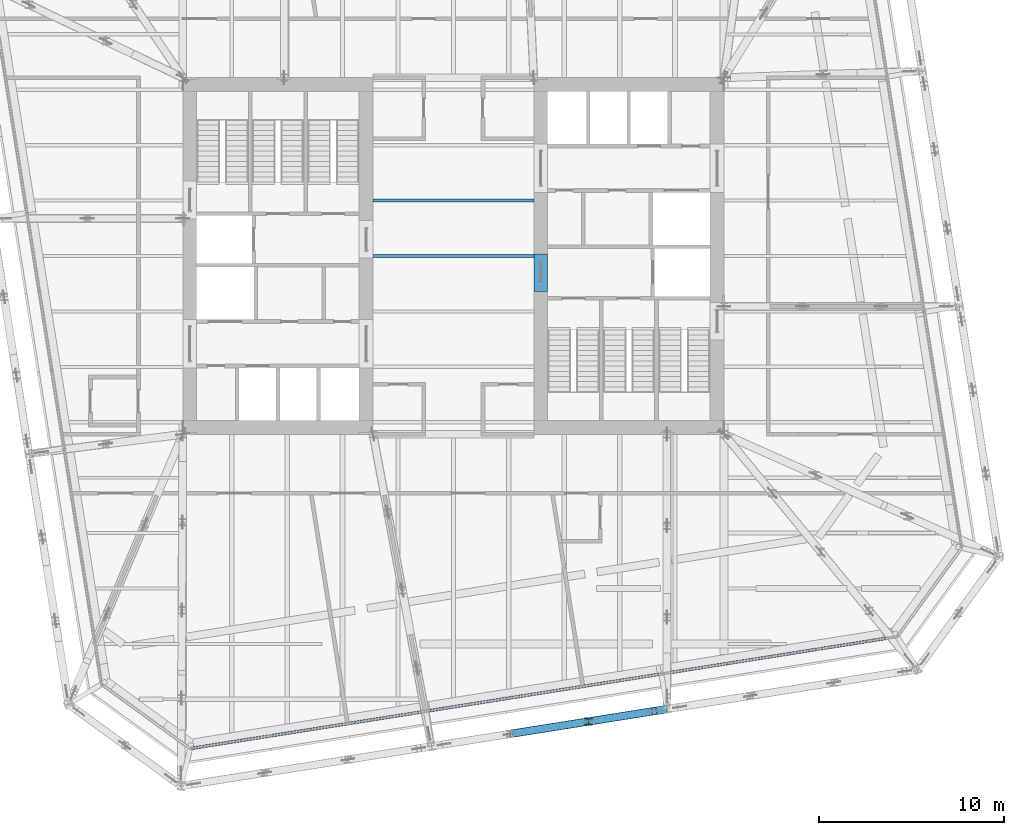
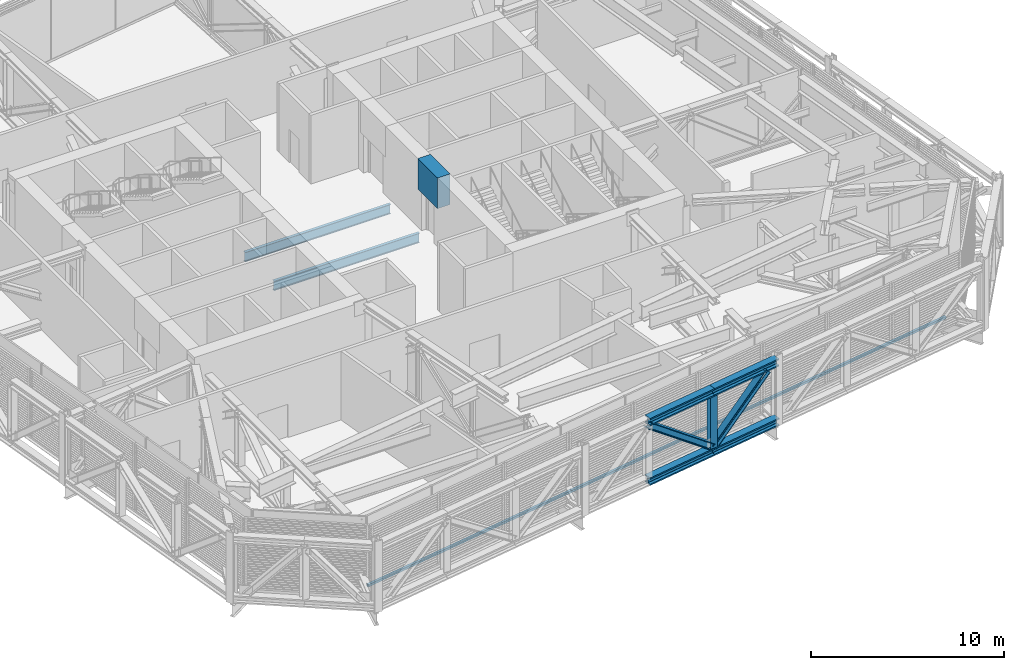
# One storey, part 7 of 31: 7 beams, 4 members, 1 element without a shape of its own.
"""IFC4 building model written with IfcOpenShell, lengths in metres."""

import ifcopenshell
import ifcopenshell.guid

model = None  # the IFC model being written
_history = None  # IfcOwnerHistory: only IFC2X3 demands one
_inside = {}  # id of a spatial element -> (the spatial element, [elements in it])
_under = {}  # id of a project, library or spatial element -> (it, [spatial elements below it])
_declared = {}  # id of a project -> (the project, [libraries it declares])
_typed = {}  # id of a type object -> (the type object, [elements of that type])
_made_of = {}  # id of a material, layer set ... -> (it, [elements and type objects made of it])


def new_model(schema):
    """Start an empty IFC model of exactly this schema.

    Asked for "IFC4X3", IfcOpenShell would pick the latest addendum, in which some entities
    have other attributes; the version numbers below select the first issue.
    IFC2X3 requires an IfcOwnerHistory on every rooted entity: one is made here for all.
    """
    global model, _history
    if schema == "IFC4X3":
        model = ifcopenshell.file(schema_version=(4, 3, 0, 0))
    else:
        model = ifcopenshell.file(schema=schema)
    _inside.clear()
    _under.clear()
    _declared.clear()
    _typed.clear()
    _made_of.clear()
    _history = None
    if model.schema == "IFC2X3":
        org = make("IfcOrganization", Name="unknown")
        user = make(
            "IfcPersonAndOrganization",
            ThePerson=make("IfcPerson", FamilyName="unknown"),
            TheOrganization=org,
        )
        app = make(
            "IfcApplication",
            ApplicationDeveloper=org,
            Version="unknown",
            ApplicationFullName="unknown",
            ApplicationIdentifier="unknown",
        )
        _history = make(
            "IfcOwnerHistory",
            OwningUser=user,
            OwningApplication=app,
            ChangeAction="ADDED",
            CreationDate=0,
        )
    return model


def make(cls, **values):
    """One entity of the class cls with the attributes given. An attribute that is None is left unset."""
    return model.create_entity(
        cls, **{name: value for name, value in values.items() if value is not None}
    )


def rooted(cls, **values):
    """An entity with a GlobalId (a new one), such as an element, a storey or a relation."""
    return make(cls, GlobalId=ifcopenshell.guid.new(), OwnerHistory=_history, **values)


def si_unit(unit_type, name, prefix=None):
    """IfcSIUnit, for example si_unit("LENGTHUNIT", "METRE", prefix="MILLI")."""
    return make("IfcSIUnit", UnitType=unit_type, Prefix=prefix, Name=name)


def assignment(units):
    """IfcUnitAssignment: the units of a project."""
    return None if units is None else make("IfcUnitAssignment", Units=units)


def point(xyz):
    """IfcCartesianPoint."""
    return None if xyz is None else make("IfcCartesianPoint", Coordinates=xyz)


def direction(xyz):
    """IfcDirection."""
    return None if xyz is None else make("IfcDirection", DirectionRatios=xyz)


def frame(location, z_axis=None, x_axis=None):
    """IfcAxis2Placement3D, a coordinate frame: its origin and axes. An axis left out is left unset."""
    return make(
        "IfcAxis2Placement3D",
        Location=point(location),
        Axis=direction(z_axis),
        RefDirection=direction(x_axis),
    )


def frame_2d(location, x_axis=None):
    """IfcAxis2Placement2D, a coordinate frame in the plane: its origin and x axis."""
    return make(
        "IfcAxis2Placement2D", Location=point(location), RefDirection=direction(x_axis)
    )


def origin():
    """The frame at (0, 0, 0) with its axes left unset."""
    return frame((0.0, 0.0, 0.0))


def origin_2d():
    """The frame at (0, 0) in the plane with its x axis left unset."""
    return frame_2d((0.0, 0.0))


def place(relative_to, where):
    """IfcLocalPlacement: puts the frame where relative to a parent placement (None: the world)."""
    return make(
        "IfcLocalPlacement", PlacementRelTo=relative_to, RelativePlacement=where
    )


def context(
    kind, dimensions, precision=None, world=None, true_north=None, identifier=None
):
    """IfcGeometricRepresentationContext, for example the 3D "Model" context."""
    return make(
        "IfcGeometricRepresentationContext",
        ContextIdentifier=identifier,
        ContextType=kind,
        CoordinateSpaceDimension=dimensions,
        Precision=precision,
        WorldCoordinateSystem=world,
        TrueNorth=true_north,
    )


def subcontext(parent, identifier, kind, view, scale=None):
    """IfcGeometricRepresentationSubContext, for example "Body" below "Model"."""
    return make(
        "IfcGeometricRepresentationSubContext",
        ContextIdentifier=identifier,
        ContextType=kind,
        ParentContext=parent,
        TargetScale=scale,
        TargetView=view,
    )


def project(units=None, contexts=None):
    """IfcProject with its units and contexts."""
    return rooted(
        "IfcProject",
        Name="project",
        RepresentationContexts=contexts,
        UnitsInContext=assignment(units),
    )


def spatial(cls, under=None, at=None, **own):
    """A site, building, storey or space (cls), placed at a placement, below another one or the project."""
    s = rooted(cls, ObjectPlacement=at, **own)
    if under is not None:
        _under.setdefault(under.id(), (under, []))[1].append(s)
    return s


def profile(cls, at=None, kind="AREA", **sizes):
    """A parametric profile (cls). Its sizes go by their IFC names, for example OverallWidth=200.0."""
    return make(cls, ProfileType=kind, Position=at, **sizes)


def rectangle(**sizes):
    """IfcRectangleProfileDef."""
    return profile("IfcRectangleProfileDef", **sizes)


def i_section(**sizes):
    """IfcIShapeProfileDef."""
    return profile("IfcIShapeProfileDef", **sizes)


def extrude(swept, where, along, depth):
    """IfcExtrudedAreaSolid: the profile swept, set in the frame where, extruded along a direction by depth."""
    return make(
        "IfcExtrudedAreaSolid",
        SweptArea=swept,
        Position=where,
        ExtrudedDirection=direction(along),
        Depth=depth,
    )


def shape(context_of_items, identifier, shape_type, items):
    """IfcShapeRepresentation: the items that make up one representation, for example the "Body"."""
    return make(
        "IfcShapeRepresentation",
        ContextOfItems=context_of_items,
        RepresentationIdentifier=identifier,
        RepresentationType=shape_type,
        Items=items,
    )


def material(Name=None, Category=None):
    """IfcMaterial."""
    return make("IfcMaterial", Name=Name, Category=Category)


def layer(
    of_material, thickness, ventilated=None, Name=None, Category=None, Priority=None
):
    """IfcMaterialLayer: one layer of a wall or slab, of a material (None: an air gap)."""
    return make(
        "IfcMaterialLayer",
        Material=of_material,
        LayerThickness=thickness,
        IsVentilated=ventilated,
        Name=Name,
        Category=Category,
        Priority=Priority,
    )


def layer_set(layers, Name=None):
    """IfcMaterialLayerSet."""
    return make("IfcMaterialLayerSet", MaterialLayers=layers, LayerSetName=Name)


def material_profile(
    of_material, cross_section, Name=None, Category=None, Priority=None
):
    """IfcMaterialProfile: a cross section and its material."""
    return make(
        "IfcMaterialProfile",
        Name=Name,
        Material=of_material,
        Profile=cross_section,
        Priority=Priority,
        Category=Category,
    )


def profile_set(profiles, Name=None, composite=None):
    """IfcMaterialProfileSet."""
    return make(
        "IfcMaterialProfileSet",
        Name=Name,
        MaterialProfiles=profiles,
        CompositeProfile=composite,
    )


def made_of(thing, what):
    """Note that an element or type object is made of a material, layer set ...; save() writes the relation."""
    if what is not None:
        _made_of.setdefault(what.id(), (what, []))[1].append(thing)
    return thing


def type_object(cls, material=None, **own):
    """A type object (cls), such as IfcWallType, which elements share."""
    return made_of(rooted(cls, **own), material)


def element(
    cls,
    number,
    at=None,
    inside=None,
    cuts=None,
    type_object=None,
    material=None,
    context=None,
    identifier="Body",
    shape_type=None,
    held_by="IfcProductDefinitionShape",
    body=None,
    shapes=None,
    **own,
):
    """One element of the class cls, such as IfcWall. Its Tag is "e" and its number.

    at: its placement. inside: the storey or other place that contains it. cuts: it is an
    opening in that element (IfcRelVoidsElement). A single representation is given by context,
    identifier, shape_type and body (its items); several are given by shapes. held_by: the class
    of the entity that holds the representations. save() writes the other relations.
    """
    e = rooted(cls, Tag="e%d" % number, ObjectPlacement=at, **own)
    if body is not None:
        shapes = [shape(context, identifier, shape_type, body)]
    if shapes is not None:
        e.Representation = make(held_by, Representations=shapes)
    if inside is not None:
        _inside.setdefault(inside.id(), (inside, []))[1].append(e)
    if cuts is not None:
        rooted(
            "IfcRelVoidsElement", RelatingBuildingElement=cuts, RelatedOpeningElement=e
        )
    if type_object is not None:
        _typed.setdefault(type_object.id(), (type_object, []))[1].append(e)
    return made_of(e, material)


def aggregate(whole, parts):
    """IfcRelAggregates: a whole, such as a stair, and the parts it consists of."""
    return rooted("IfcRelAggregates", RelatingObject=whole, RelatedObjects=parts)


def save(model, path):
    """Write the relations noted so far, then the file.

    IfcRelAggregates (storeys below a building ...), IfcRelContainedInSpatialStructure (elements
    in a storey), IfcRelDefinesByType, IfcRelAssociatesMaterial and IfcRelDeclares: one each for
    every whole, place, type object, material and project.
    """
    for whole, parts in _under.values():
        aggregate(whole, parts)
    for where, things in _inside.values():
        rooted(
            "IfcRelContainedInSpatialStructure",
            RelatedElements=things,
            RelatingStructure=where,
        )
    for kind, things in _typed.values():
        rooted("IfcRelDefinesByType", RelatedObjects=things, RelatingType=kind)
    for what, things in _made_of.values():
        rooted("IfcRelAssociatesMaterial", RelatedObjects=things, RelatingMaterial=what)
    for by, libraries in _declared.values():
        rooted("IfcRelDeclares", RelatingContext=by, RelatedDefinitions=libraries)
    model.write(path)


model = new_model("IFC4")

# Units and contexts
model_context = context("Model", 3, precision=1e-05, world=origin(), true_north=direction((0.0, 1.0)))
body_context = subcontext(model_context, "Body", "Model", "MODEL_VIEW")
ifc_project = project(units=[si_unit("LENGTHUNIT", "METRE"), si_unit("AREAUNIT", "SQUARE_METRE"), si_unit("VOLUMEUNIT", "CUBIC_METRE"), si_unit("PLANEANGLEUNIT", "RADIAN"), si_unit("MASSUNIT", "GRAM", prefix="KILO")], contexts=[model_context])

# Site, building, storey
site_placement = place(None, origin())
site = spatial("IfcSite", under=ifc_project, at=site_placement, CompositionType="ELEMENT")
building_placement = place(site_placement, origin())
building = spatial("IfcBuilding", under=site, at=building_placement, Name="Millrace Tower", CompositionType="ELEMENT")
storey_placement = place(building_placement, frame((0.0, 0.0, 195.60009765625)))
storey = spatial("IfcBuildingStorey", under=building, at=storey_placement, Name="L44", CompositionType="ELEMENT", Elevation=195.60009765625)

# Beams
ifc_material_1 = material(Name="Steel ASTM A992 Grade 50", Category="steel")
ifc_material_profile_1 = material_profile(ifc_material_1, i_section(OverallWidth=0.4267578125, OverallDepth=0.482666015625, WebThickness=0.05126953125, FlangeThickness=0.08154296875, FilletRadius=0.01513671875, at=origin_2d()))
ifc_profile_set_1 = profile_set([ifc_material_profile_1], Name="Steel ASTM A992 Grade 50")
beam_type_1 = type_object("IfcBeamType", Name="Belt truss chord W14x455", PredefinedType="BEAM", material=ifc_profile_set_1)
for number, where, z_axis, x_axis, name in (
    (1, (3.0654296875, -25.872314453125, 0.2412109375), (0.987690583834, 0.15642030113, 0.0), (-0.15642030113, 0.987690583834, 0.0), "BLT-L44-R03-B02"),
    (2, (3.0654296875, -25.872314453125, 3.99853515625), (0.987690583834, 0.15642030113, 0.0), (-0.15642030113, 0.987690583834, 0.0), "BLT-L44-R03-T02"),
    (3, (7.3125, -25.19970703125, 0.2412109375), (0.987690583834, 0.15642030113, 0.0), (-0.15642030113, 0.987690583834, 0.0), "BLT-L44-R03-B03"),
):
    element("IfcBeam", number, at=place(storey_placement, frame(where, z_axis=z_axis, x_axis=x_axis)), inside=storey, type_object=beam_type_1, Name=name, PredefinedType="BEAM", context=body_context, shape_type="SweptSolid", body=[
        extrude(i_section(OverallWidth=0.4267578125, OverallDepth=0.482666015625, WebThickness=0.05126953125, FlangeThickness=0.08154296875, FilletRadius=0.01513671875, at=origin_2d()), origin(), (0.0, 0.0, 1.0), 4.300048828125),
    ])
beam_1_placement = place(storey_placement, frame((7.3125, -25.19970703125, 3.99853515625), z_axis=(0.987687640214, 0.15643888701, 0.0), x_axis=(-0.15643888701, 0.987687640214, 0.0)))
element("IfcBeam", 4, at=beam_1_placement, inside=storey, type_object=beam_type_1, Name="BLT-L44-R03-T03", PredefinedType="BEAM", context=body_context, shape_type="SweptSolid", body=[
    extrude(i_section(OverallWidth=0.4267578125, OverallDepth=0.482666015625, WebThickness=0.05126953125, FlangeThickness=0.08154296875, FilletRadius=0.01513671875, at=origin_2d()), origin(), (0.0, 0.0, 1.0), 4.2900390625),
])

# Members
ifc_material_2 = material(Name="Steel ASTM A992 Grade 50", Category="steel")
ifc_material_profile_2 = material_profile(ifc_material_2, i_section(OverallWidth=0.398681640625, OverallDepth=0.393798828125, WebThickness=0.022705078125, FlangeThickness=0.03662109375, FilletRadius=0.01513671875, at=origin_2d()))
ifc_profile_set_2 = profile_set([ifc_material_profile_2], Name="Steel ASTM A992 Grade 50")
member_type_1 = type_object("IfcMemberType", Name="Belt truss diagonal W14x193", PredefinedType="BRACE", material=ifc_profile_set_2)
member_1_placement = place(storey_placement, frame((7.3125, -25.19970703125, 0.482421875), z_axis=(-0.78575393137, -0.124439645949, 0.605892345102), x_axis=(0.15642030113, -0.987690583834, 0.0)))
element("IfcMember", 5, at=member_1_placement, inside=storey, type_object=member_type_1, Name="BLT-L44-R03-D02", PredefinedType="BRACE", context=body_context, shape_type="SweptSolid", body=[
    extrude(i_section(OverallWidth=0.398681640625, OverallDepth=0.393798828125, WebThickness=0.022705078125, FlangeThickness=0.03662109375, FilletRadius=0.01513671875, at=origin_2d()), origin(), (0.0, 0.0, 1.0), 5.405029296875),
])
member_2_placement = place(storey_placement, frame((7.3125, -25.19970703125, 0.482421875), z_axis=(0.73063129087, 0.115727180778, 0.672893109216), x_axis=(-0.156443106364, 0.987686971905, 0.0)))
element("IfcMember", 6, at=member_2_placement, inside=storey, type_object=member_type_1, Name="BLT-L44-R03-D03", PredefinedType="BRACE", context=body_context, shape_type="SweptSolid", body=[
    extrude(i_section(OverallWidth=0.398681640625, OverallDepth=0.393798828125, WebThickness=0.022705078125, FlangeThickness=0.03662109375, FilletRadius=0.01513671875, at=origin_2d()), origin(), (0.0, 0.0, 1.0), 4.866943359375),
])
ifc_material_3 = material(Name="Steel ASTM A992 Grade 50", Category="steel")
ifc_material_profile_3 = material_profile(ifc_material_3, i_section(OverallWidth=0.396240234375, OverallDepth=0.381103515625, WebThickness=0.018798828125, FlangeThickness=0.0302734375, FilletRadius=0.01513671875, at=origin_2d()))
ifc_profile_set_3 = profile_set([ifc_material_profile_3], Name="Steel ASTM A992 Grade 50")
member_type_2 = type_object("IfcMemberType", Name="Belt truss post W14x159", PredefinedType="POST", material=ifc_profile_set_3)
member_3_placement = place(storey_placement, frame((7.3125, -25.19970703125, 0.482421875), z_axis=(0.0, 0.0, 1.0), x_axis=(1.0, 0.0, 0.0)))
element("IfcMember", 7, at=member_3_placement, inside=storey, type_object=member_type_2, Name="BLT-L44-R03-V02", PredefinedType="POST", context=body_context, shape_type="SweptSolid", body=[
    extrude(i_section(OverallWidth=0.396240234375, OverallDepth=0.381103515625, WebThickness=0.018798828125, FlangeThickness=0.0302734375, FilletRadius=0.01513671875, at=origin_2d()), origin(), (0.0, 0.0, 1.0), 3.27490234375),
])

# Curtain wall, member
ifc_material_4 = material(Name="Aluminium and glass", Category="aluminium")
ifc_layer = layer(ifc_material_4, 0.14990234375)
ifc_layer_set = layer_set([ifc_layer], Name="Aluminium and glass")
curtain_wall_type = type_object("IfcCurtainWallType", Name="CW-5 truss and plant storey louvred infill", PredefinedType="NOTDEFINED", material=ifc_layer_set)
curtain_wall_placement = place(storey_placement, origin())
curtain_wall = element("IfcCurtainWall", 8, at=curtain_wall_placement, inside=storey, type_object=curtain_wall_type, Name="Curtain wall C-F02 L44", PredefinedType="NOTDEFINED")
ifc_material_5 = material(Name="Aluminium", Category="aluminium")
ifc_material_profile_4 = material_profile(ifc_material_5, rectangle(XDim=0.14990234375, YDim=0.139892578125, at=origin_2d()))
ifc_profile_set_4 = profile_set([ifc_material_profile_4], Name="Aluminium")
member_type_3 = type_object("IfcMemberType", Name="CW-5 truss and plant storey louvred infill transom", PredefinedType="USERDEFINED", material=ifc_profile_set_4)
member_4_placement = place(storey_placement, frame((-14.125, -26.64599609375, 0.06982421875), z_axis=(0.987688350509, 0.156434402447, 0.0), x_axis=(-0.156434402447, 0.987688350509, 0.0)))
member_4 = element("IfcMember", 9, at=member_4_placement, type_object=member_type_3, Name="CW5 transom C-F02.1", ObjectType="TRANSOM", PredefinedType="USERDEFINED", context=body_context, shape_type="SweptSolid", body=[
    extrude(rectangle(XDim=0.14990234375, YDim=0.139892578125, at=origin_2d()), origin(), (0.0, 0.0, 1.0), 38.499755859375),
])
aggregate(curtain_wall, [member_4])

# Beams
ifc_material_6 = material(Name="Concrete C70", Category="concrete")
ifc_material_profile_5 = material_profile(ifc_material_6, rectangle(XDim=0.75, YDim=1.93994140625, at=origin_2d()))
ifc_profile_set_5 = profile_set([ifc_material_profile_5], Name="Concrete C70")
beam_type_2 = type_object("IfcBeamType", Name="Coupling beam 750 x 1940 Concrete C70, 1300 opening", PredefinedType="BEAM", material=ifc_profile_set_5)
beam_2_placement = place(storey_placement, frame((4.72509765625, 0.118408203125, 3.369873046875), z_axis=(0.0, -1.0, 0.0), x_axis=(1.0, 0.0, 0.0)))
element("IfcBeam", 10, at=beam_2_placement, inside=storey, type_object=beam_type_2, Name="Coupling beam E L44", PredefinedType="BEAM", context=body_context, shape_type="SweptSolid", body=[
    extrude(rectangle(XDim=0.75, YDim=1.93994140625, at=origin_2d()), origin(), (0.0, 0.0, 1.0), 2.036865234375),
])
ifc_material_7 = material(Name="Steel ASTM A992 Grade 50", Category="steel")
ifc_material_profile_6 = material_profile(ifc_material_7, i_section(OverallWidth=0.177978515625, OverallDepth=0.599365234375, WebThickness=0.010009765625, FlangeThickness=0.012939453125, FilletRadius=0.012939453125, at=origin_2d()))
ifc_profile_set_6 = profile_set([ifc_material_profile_6], Name="Steel ASTM A992 Grade 50")
beam_type_3 = type_object("IfcBeamType", Name="Floor beam W24x55", PredefinedType="JOIST", material=ifc_profile_set_6)
for number, where, z_axis, x_axis, name in (
    (11, (-4.35009765625, 0.0, -0.5498046875), (1.0, 0.0, 0.0), (0.0, 1.0, 0.0), "BM-C-L44-S1-S019"),
    (12, (-4.35009765625, 3.0, -0.5498046875), (1.0, 0.0, 0.0), (0.0, 1.0, 0.0), "BM-C-L44-S1-S022"),
):
    element("IfcBeam", number, at=place(storey_placement, frame(where, z_axis=z_axis, x_axis=x_axis)), inside=storey, type_object=beam_type_3, Name=name, PredefinedType="JOIST", context=body_context, shape_type="SweptSolid", body=[
        extrude(i_section(OverallWidth=0.177978515625, OverallDepth=0.599365234375, WebThickness=0.010009765625, FlangeThickness=0.012939453125, FilletRadius=0.012939453125, at=origin_2d()), origin(), (0.0, 0.0, 1.0), 8.7001953125),
    ])

save(model, "model.ifc")
